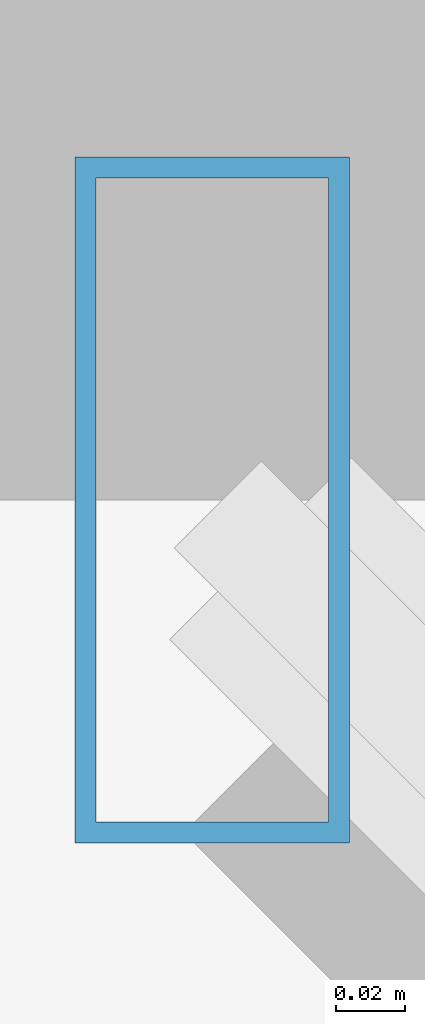
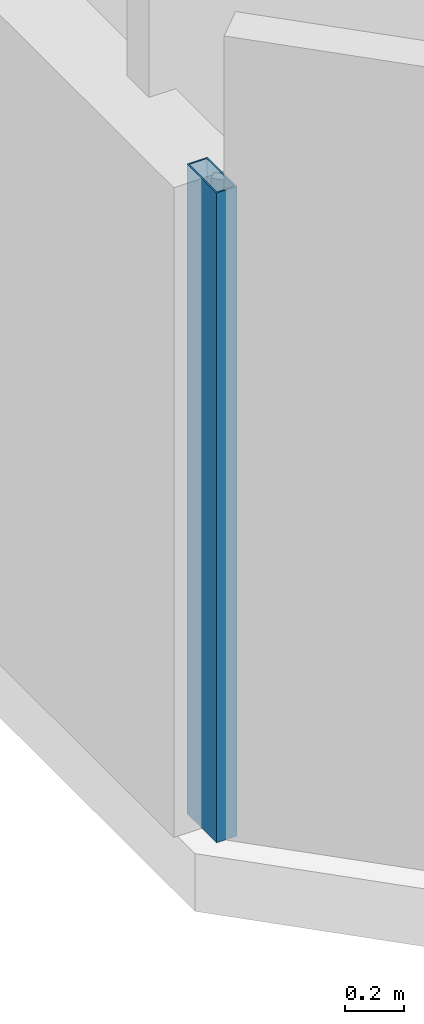
# One storey, part 6 of 33: 1 member, 1 element without a shape of its own.
"""IFC4 building model written with IfcOpenShell, lengths in metres."""

import ifcopenshell
import ifcopenshell.guid

model = None  # the IFC model being written
_history = None  # IfcOwnerHistory: only IFC2X3 demands one
_inside = {}  # id of a spatial element -> (the spatial element, [elements in it])
_under = {}  # id of a project, library or spatial element -> (it, [spatial elements below it])
_declared = {}  # id of a project -> (the project, [libraries it declares])
_typed = {}  # id of a type object -> (the type object, [elements of that type])
_made_of = {}  # id of a material, layer set ... -> (it, [elements and type objects made of it])


def new_model(schema):
    """Start an empty IFC model of exactly this schema.

    Asked for "IFC4X3", IfcOpenShell would pick the latest addendum, in which some entities
    have other attributes; the version numbers below select the first issue.
    IFC2X3 requires an IfcOwnerHistory on every rooted entity: one is made here for all.
    """
    global model, _history
    if schema == "IFC4X3":
        model = ifcopenshell.file(schema_version=(4, 3, 0, 0))
    else:
        model = ifcopenshell.file(schema=schema)
    _inside.clear()
    _under.clear()
    _declared.clear()
    _typed.clear()
    _made_of.clear()
    _history = None
    if model.schema == "IFC2X3":
        org = make("IfcOrganization", Name="unknown")
        user = make(
            "IfcPersonAndOrganization",
            ThePerson=make("IfcPerson", FamilyName="unknown"),
            TheOrganization=org,
        )
        app = make(
            "IfcApplication",
            ApplicationDeveloper=org,
            Version="unknown",
            ApplicationFullName="unknown",
            ApplicationIdentifier="unknown",
        )
        _history = make(
            "IfcOwnerHistory",
            OwningUser=user,
            OwningApplication=app,
            ChangeAction="ADDED",
            CreationDate=0,
        )
    return model


def make(cls, **values):
    """One entity of the class cls with the attributes given. An attribute that is None is left unset."""
    return model.create_entity(
        cls, **{name: value for name, value in values.items() if value is not None}
    )


def rooted(cls, **values):
    """An entity with a GlobalId (a new one), such as an element, a storey or a relation."""
    return make(cls, GlobalId=ifcopenshell.guid.new(), OwnerHistory=_history, **values)


def si_unit(unit_type, name, prefix=None):
    """IfcSIUnit, for example si_unit("LENGTHUNIT", "METRE", prefix="MILLI")."""
    return make("IfcSIUnit", UnitType=unit_type, Prefix=prefix, Name=name)


def assignment(units):
    """IfcUnitAssignment: the units of a project."""
    return None if units is None else make("IfcUnitAssignment", Units=units)


def point(xyz):
    """IfcCartesianPoint."""
    return None if xyz is None else make("IfcCartesianPoint", Coordinates=xyz)


def direction(xyz):
    """IfcDirection."""
    return None if xyz is None else make("IfcDirection", DirectionRatios=xyz)


def frame(location, z_axis=None, x_axis=None):
    """IfcAxis2Placement3D, a coordinate frame: its origin and axes. An axis left out is left unset."""
    return make(
        "IfcAxis2Placement3D",
        Location=point(location),
        Axis=direction(z_axis),
        RefDirection=direction(x_axis),
    )


def frame_2d(location, x_axis=None):
    """IfcAxis2Placement2D, a coordinate frame in the plane: its origin and x axis."""
    return make(
        "IfcAxis2Placement2D", Location=point(location), RefDirection=direction(x_axis)
    )


def origin():
    """The frame at (0, 0, 0) with its axes left unset."""
    return frame((0.0, 0.0, 0.0))


def origin_2d():
    """The frame at (0, 0) in the plane with its x axis left unset."""
    return frame_2d((0.0, 0.0))


def place(relative_to, where):
    """IfcLocalPlacement: puts the frame where relative to a parent placement (None: the world)."""
    return make(
        "IfcLocalPlacement", PlacementRelTo=relative_to, RelativePlacement=where
    )


def context(
    kind, dimensions, precision=None, world=None, true_north=None, identifier=None
):
    """IfcGeometricRepresentationContext, for example the 3D "Model" context."""
    return make(
        "IfcGeometricRepresentationContext",
        ContextIdentifier=identifier,
        ContextType=kind,
        CoordinateSpaceDimension=dimensions,
        Precision=precision,
        WorldCoordinateSystem=world,
        TrueNorth=true_north,
    )


def subcontext(parent, identifier, kind, view, scale=None):
    """IfcGeometricRepresentationSubContext, for example "Body" below "Model"."""
    return make(
        "IfcGeometricRepresentationSubContext",
        ContextIdentifier=identifier,
        ContextType=kind,
        ParentContext=parent,
        TargetScale=scale,
        TargetView=view,
    )


def project(units=None, contexts=None):
    """IfcProject with its units and contexts."""
    return rooted(
        "IfcProject",
        Name="project",
        RepresentationContexts=contexts,
        UnitsInContext=assignment(units),
    )


def spatial(cls, under=None, at=None, **own):
    """A site, building, storey or space (cls), placed at a placement, below another one or the project."""
    s = rooted(cls, ObjectPlacement=at, **own)
    if under is not None:
        _under.setdefault(under.id(), (under, []))[1].append(s)
    return s


def profile(cls, at=None, kind="AREA", **sizes):
    """A parametric profile (cls). Its sizes go by their IFC names, for example OverallWidth=200.0."""
    return make(cls, ProfileType=kind, Position=at, **sizes)


def hollow_rectangle(**sizes):
    """IfcRectangleHollowProfileDef."""
    return profile("IfcRectangleHollowProfileDef", **sizes)


def extrude(swept, where, along, depth):
    """IfcExtrudedAreaSolid: the profile swept, set in the frame where, extruded along a direction by depth."""
    return make(
        "IfcExtrudedAreaSolid",
        SweptArea=swept,
        Position=where,
        ExtrudedDirection=direction(along),
        Depth=depth,
    )


def shape(context_of_items, identifier, shape_type, items):
    """IfcShapeRepresentation: the items that make up one representation, for example the "Body"."""
    return make(
        "IfcShapeRepresentation",
        ContextOfItems=context_of_items,
        RepresentationIdentifier=identifier,
        RepresentationType=shape_type,
        Items=items,
    )


def material(Name=None, Category=None):
    """IfcMaterial."""
    return make("IfcMaterial", Name=Name, Category=Category)


def material_profile(
    of_material, cross_section, Name=None, Category=None, Priority=None
):
    """IfcMaterialProfile: a cross section and its material."""
    return make(
        "IfcMaterialProfile",
        Name=Name,
        Material=of_material,
        Profile=cross_section,
        Priority=Priority,
        Category=Category,
    )


def profile_set(profiles, Name=None, composite=None):
    """IfcMaterialProfileSet."""
    return make(
        "IfcMaterialProfileSet",
        Name=Name,
        MaterialProfiles=profiles,
        CompositeProfile=composite,
    )


def made_of(thing, what):
    """Note that an element or type object is made of a material, layer set ...; save() writes the relation."""
    if what is not None:
        _made_of.setdefault(what.id(), (what, []))[1].append(thing)
    return thing


def type_object(cls, material=None, **own):
    """A type object (cls), such as IfcWallType, which elements share."""
    return made_of(rooted(cls, **own), material)


def element(
    cls,
    number,
    at=None,
    inside=None,
    cuts=None,
    type_object=None,
    material=None,
    context=None,
    identifier="Body",
    shape_type=None,
    held_by="IfcProductDefinitionShape",
    body=None,
    shapes=None,
    **own,
):
    """One element of the class cls, such as IfcWall. Its Tag is "e" and its number.

    at: its placement. inside: the storey or other place that contains it. cuts: it is an
    opening in that element (IfcRelVoidsElement). A single representation is given by context,
    identifier, shape_type and body (its items); several are given by shapes. held_by: the class
    of the entity that holds the representations. save() writes the other relations.
    """
    e = rooted(cls, Tag="e%d" % number, ObjectPlacement=at, **own)
    if body is not None:
        shapes = [shape(context, identifier, shape_type, body)]
    if shapes is not None:
        e.Representation = make(held_by, Representations=shapes)
    if inside is not None:
        _inside.setdefault(inside.id(), (inside, []))[1].append(e)
    if cuts is not None:
        rooted(
            "IfcRelVoidsElement", RelatingBuildingElement=cuts, RelatedOpeningElement=e
        )
    if type_object is not None:
        _typed.setdefault(type_object.id(), (type_object, []))[1].append(e)
    return made_of(e, material)


def aggregate(whole, parts):
    """IfcRelAggregates: a whole, such as a stair, and the parts it consists of."""
    return rooted("IfcRelAggregates", RelatingObject=whole, RelatedObjects=parts)


def save(model, path):
    """Write the relations noted so far, then the file.

    IfcRelAggregates (storeys below a building ...), IfcRelContainedInSpatialStructure (elements
    in a storey), IfcRelDefinesByType, IfcRelAssociatesMaterial and IfcRelDeclares: one each for
    every whole, place, type object, material and project.
    """
    for whole, parts in _under.values():
        aggregate(whole, parts)
    for where, things in _inside.values():
        rooted(
            "IfcRelContainedInSpatialStructure",
            RelatedElements=things,
            RelatingStructure=where,
        )
    for kind, things in _typed.values():
        rooted("IfcRelDefinesByType", RelatedObjects=things, RelatingType=kind)
    for what, things in _made_of.values():
        rooted("IfcRelAssociatesMaterial", RelatedObjects=things, RelatingMaterial=what)
    for by, libraries in _declared.values():
        rooted("IfcRelDeclares", RelatingContext=by, RelatedDefinitions=libraries)
    model.write(path)


model = new_model("IFC4")

# Units and contexts
model_context = context("Model", 3, precision=1e-05, world=origin(), true_north=direction((0.0, 1.0)))
body_context = subcontext(model_context, "Body", "Model", "MODEL_VIEW")
ifc_project = project(units=[si_unit("LENGTHUNIT", "METRE"), si_unit("AREAUNIT", "SQUARE_METRE"), si_unit("VOLUMEUNIT", "CUBIC_METRE"), si_unit("PLANEANGLEUNIT", "RADIAN"), si_unit("MASSUNIT", "GRAM", prefix="KILO")], contexts=[model_context])

# Site, building, storey
site_placement = place(None, origin())
site = spatial("IfcSite", under=ifc_project, at=site_placement, CompositionType="ELEMENT")
building_placement = place(site_placement, origin())
building = spatial("IfcBuilding", under=site, at=building_placement, Name="Thornwick Lancets Civic Towers", CompositionType="ELEMENT")
storey_placement = place(building_placement, frame((0.0, 0.0, 167.10009765625)))
storey = spatial("IfcBuildingStorey", under=building, at=storey_placement, Name="L44", CompositionType="ELEMENT", Elevation=167.10009765625)

# Curtain wall, member
ifc_material_1 = material(Name="Mid-zone chamfered-corner unitised glass curtain wall", Category="glass")
curtain_wall_type = type_object("IfcCurtainWallType", Name="CW_SYS_04", PredefinedType="NOTDEFINED", material=ifc_material_1)
curtain_wall_placement = place(storey_placement, origin())
curtain_wall = element("IfcCurtainWall", 1, at=curtain_wall_placement, inside=storey, type_object=curtain_wall_type, Name="L44 Curtain Wall CW-L44-B-E7", PredefinedType="NOTDEFINED")
ifc_material_2 = material(Name="Thermally broken bronze aluminium S355", Category="steel")
ifc_material_profile = material_profile(ifc_material_2, hollow_rectangle(XDim=0.080078125, YDim=0.199951171875, WallThickness=0.006103515625, at=origin_2d()), Name="RHS 200x80x6")
ifc_profile_set = profile_set([ifc_material_profile], Name="Thermally broken bronze aluminium S355")
member_type = type_object("IfcMemberType", Name="CW_MUL_200", PredefinedType="MULLION", material=ifc_profile_set)
member_placement = place(storey_placement, frame((70.7353515625, 11.818603515625, 0.0), z_axis=(0.0, 0.0, 1.0), x_axis=(1.0, 0.0, 0.0)))
member = element("IfcMember", 2, at=member_placement, type_object=member_type, Name="CW-L44-B-E7 Mullion 0", PredefinedType="MULLION", context=body_context, shape_type="SweptSolid", body=[
    extrude(hollow_rectangle(XDim=0.080078125, YDim=0.199951171875, WallThickness=0.006103515625, at=origin_2d()), origin(), (0.0, 0.0, 1.0), 2.699951171875),
])
aggregate(curtain_wall, [member])

save(model, "model.ifc")
